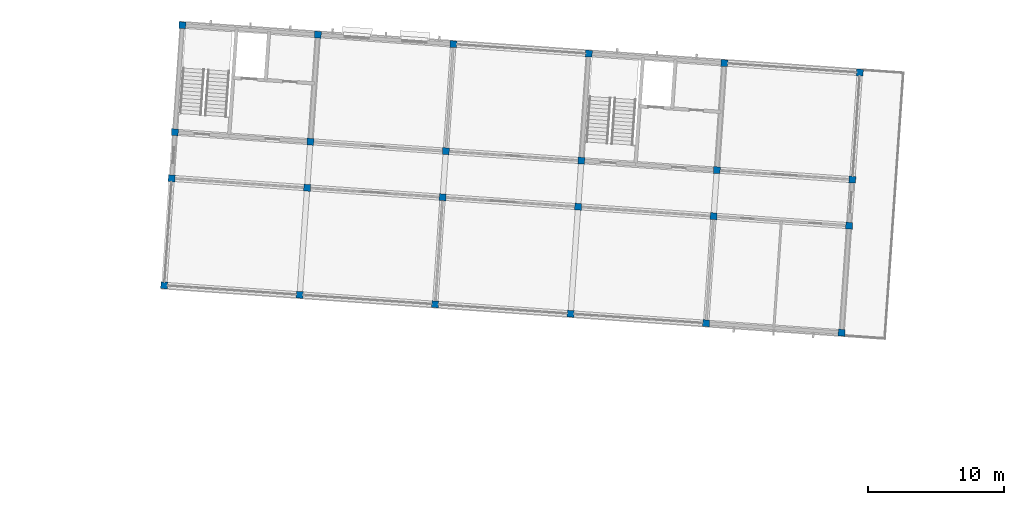
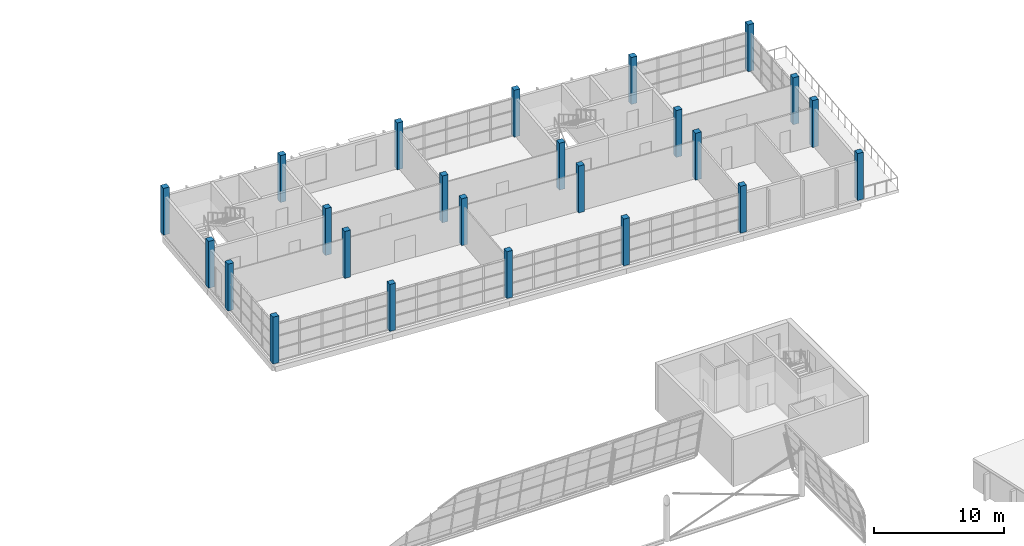
# One storey, part 7 of 50: 24 columns.
"""IFC4 building model written with IfcOpenShell, lengths in metres."""

from ifc_helpers import new_model, si_unit, direction, frame, origin, origin_2d, place, context, subcontext, project, spatial, rectangle, extrude, material, material_profile, profile_set, type_object, element, save


model = new_model("IFC4")

# Units and contexts
model_context = context("Model", 3, precision=1e-05, world=origin(), true_north=direction((0.0, 1.0)))
body_context = subcontext(model_context, "Body", "Model", "MODEL_VIEW")
ifc_project = project(units=[si_unit("LENGTHUNIT", "METRE"), si_unit("AREAUNIT", "SQUARE_METRE"), si_unit("VOLUMEUNIT", "CUBIC_METRE"), si_unit("PLANEANGLEUNIT", "RADIAN"), si_unit("MASSUNIT", "GRAM", prefix="KILO")], contexts=[model_context])

# Site, building, storey
site_placement = place(None, origin())
site = spatial("IfcSite", under=ifc_project, at=site_placement, CompositionType="ELEMENT")
building_placement = place(site_placement, origin())
building = spatial("IfcBuilding", under=site, at=building_placement, Name="Windward Yard Aquatics Centre", CompositionType="ELEMENT")
storey_placement = place(building_placement, frame((0.0, 0.0, 18.199951171875)))
storey = spatial("IfcBuildingStorey", under=building, at=storey_placement, Name="L04", CompositionType="ELEMENT", Elevation=18.199951171875)

# Columns
ifc_material = material(Name="Concrete C50/60", Category="concrete")
ifc_material_profile = material_profile(ifc_material, rectangle(XDim=0.5, YDim=0.5, at=origin_2d()), Name="RC 500x500")
ifc_profile_set = profile_set([ifc_material_profile], Name="Concrete C50/60")
column_type = type_object("IfcColumnType", Name="W RC 500x500 column Concrete C50/60", PredefinedType="COLUMN", material=ifc_profile_set)
for number, where, z_axis, x_axis, name in (
    (1, (117.8388671875, 116.16748046875, 0.0), (0.0, 0.0, 1.0), (0.99756405026, -0.069756473744, 0.0), "W.COL.L04.2A"),
    (2, (118.389892578125, 124.04833984375, 0.0), (0.0, 0.0, 1.0), (0.99756405026, -0.069756473744, 0.0), "W.COL.L04.2B"),
    (3, (118.627197265625, 127.43994140625, 0.0), (0.0, 0.0, 1.0), (0.99756405026, -0.069756473744, 0.0), "W.COL.L04.2C"),
    (4, (119.17822265625, 135.32080078125, 0.0), (0.0, 0.0, 1.0), (0.99756405026, -0.069756473744, 0.0), "W.COL.L04.2D"),
    (5, (127.814453125, 115.469970703125, 0.0), (0.0, 0.0, 1.0), (0.99756405026, -0.069756473744, 0.0), "W.COL.L04.3A"),
    (6, (128.365478515625, 123.3505859375, 0.0), (0.0, 0.0, 1.0), (0.99756405026, -0.069756473744, 0.0), "W.COL.L04.3B"),
    (7, (128.602783203125, 126.742431640625, 0.0), (0.0, 0.0, 1.0), (0.99756405026, -0.069756473744, 0.0), "W.COL.L04.3C"),
    (8, (129.15380859375, 134.623291015625, 0.0), (0.0, 0.0, 1.0), (0.99756405026, -0.069756473744, 0.0), "W.COL.L04.3D"),
    (9, (137.7900390625, 114.7724609375, 0.0), (0.0, 0.0, 1.0), (0.99756405026, -0.069756473744, 0.0), "W.COL.L04.4A"),
    (10, (138.34130859375, 122.6533203125, 0.0), (0.0, 0.0, 1.0), (0.99756405026, -0.069756473744, 0.0), "W.COL.L04.4B"),
    (11, (138.578369140625, 126.044921875, 0.0), (0.0, 0.0, 1.0), (0.99756405026, -0.069756473744, 0.0), "W.COL.L04.4C"),
    (12, (139.12939453125, 133.925537109375, 0.0), (0.0, 0.0, 1.0), (0.99756405026, -0.069756473744, 0.0), "W.COL.L04.4D"),
    (13, (147.765869140625, 114.07470703125, 0.0), (0.0, 0.0, 1.0), (0.99756405026, -0.069756473744, 0.0), "W.COL.L04.5A"),
    (14, (148.31689453125, 121.95556640625, 0.0), (0.0, 0.0, 1.0), (0.99756405026, -0.069756473744, 0.0), "W.COL.L04.5B"),
    (15, (148.553955078125, 125.347412109375, 0.0), (0.0, 0.0, 1.0), (0.99756405026, -0.069756473744, 0.0), "W.COL.L04.5C"),
    (16, (149.10498046875, 133.22802734375, 0.0), (0.0, 0.0, 1.0), (0.99756405026, -0.069756473744, 0.0), "W.COL.L04.5D"),
    (17, (157.741455078125, 113.377197265625, 0.0), (0.0, 0.0, 1.0), (0.99756405026, -0.069756473744, 0.0), "W.COL.L04.6A"),
    (18, (158.29248046875, 121.258056640625, 0.0), (0.0, 0.0, 1.0), (0.99756405026, -0.069756473744, 0.0), "W.COL.L04.6B"),
    (19, (158.52978515625, 124.649658203125, 0.0), (0.0, 0.0, 1.0), (0.99756405026, -0.069756473744, 0.0), "W.COL.L04.6C"),
    (20, (159.080810546875, 132.530517578125, 0.0), (0.0, 0.0, 1.0), (0.99756405026, -0.069756473744, 0.0), "W.COL.L04.6D"),
    (21, (167.717041015625, 112.6796875, 0.0), (0.0, 0.0, 1.0), (0.99756405026, -0.069756473744, 0.0), "W.COL.L04.7A"),
    (22, (168.26806640625, 120.560546875, 0.0), (0.0, 0.0, 1.0), (0.99756405026, -0.069756473744, 0.0), "W.COL.L04.7B"),
    (23, (168.50537109375, 123.9521484375, 0.0), (0.0, 0.0, 1.0), (0.99756405026, -0.069756473744, 0.0), "W.COL.L04.7C"),
    (24, (169.056396484375, 131.8330078125, 0.0), (0.0, 0.0, 1.0), (0.99756405026, -0.069756473744, 0.0), "W.COL.L04.7D"),
):
    element("IfcColumn", number, at=place(storey_placement, frame(where, z_axis=z_axis, x_axis=x_axis)), inside=storey, type_object=column_type, Name=name, PredefinedType="COLUMN", context=body_context, shape_type="SweptSolid", body=[
        extrude(rectangle(XDim=0.5, YDim=0.5, at=origin_2d()), origin(), (0.0, 0.0, 1.0), 4.400146484375),
    ])

save(model, "model.ifc")
